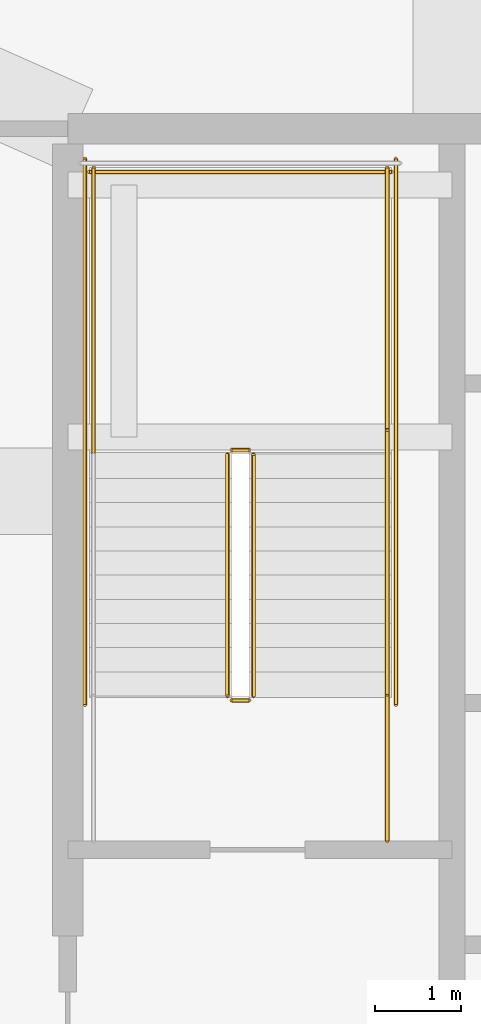
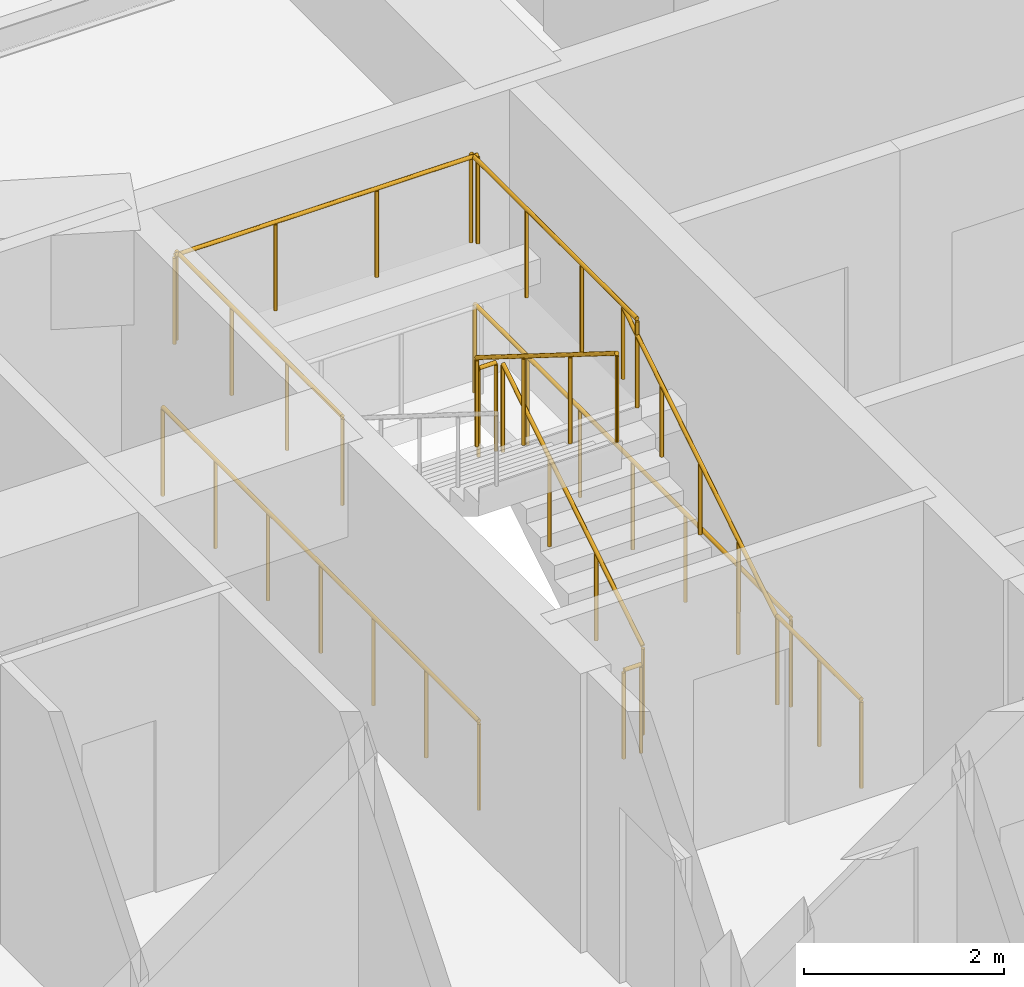
# One storey, part 36 of 39: 11 railings.
"""IFC4 building model written with IfcOpenShell, lengths in metres."""

from ifc_helpers import new_model, si_unit, direction, frame, origin, origin_2d, place, context, subcontext, project, spatial, circle, extrude, material, type_object, element, save


model = new_model("IFC4")

# Units and contexts
model_context = context("Model", 3, precision=1e-05, world=origin(), true_north=direction((0.0, 1.0)))
body_context = subcontext(model_context, "Body", "Model", "MODEL_VIEW")
ifc_project = project(units=[si_unit("LENGTHUNIT", "METRE"), si_unit("AREAUNIT", "SQUARE_METRE"), si_unit("VOLUMEUNIT", "CUBIC_METRE"), si_unit("PLANEANGLEUNIT", "RADIAN"), si_unit("MASSUNIT", "GRAM", prefix="KILO")], contexts=[model_context])

# Site, building, storey
site_placement = place(None, origin())
site = spatial("IfcSite", under=ifc_project, at=site_placement, CompositionType="ELEMENT")
building_placement = place(site_placement, origin())
building = spatial("IfcBuilding", under=site, at=building_placement, Name="Serunith Strait Residences", CompositionType="ELEMENT")
storey_placement = place(building_placement, frame((0.0, 0.0, 283.60009765625)))
storey = spatial("IfcBuildingStorey", under=building, at=storey_placement, Name="L71", CompositionType="ELEMENT", Elevation=283.60009765625)

# Railings
ifc_material = material(Name="Brushed stainless steel 316L", Category="steel")
railing_type_1 = type_object("IfcRailingType", Name="RLG-STAIR-GUARD", PredefinedType="BALUSTRADE", material=ifc_material)
railing_1_placement = place(storey_placement, frame((25.550048828125, 27.030029296875, 0.1748046875)))
element("IfcRailing", 1, at=railing_1_placement, inside=storey, type_object=railing_type_1, Name="L71 ST-1 stair guard 1", PredefinedType="BALUSTRADE", context=body_context, shape_type="SweptSolid", body=[
    extrude(circle(Radius=0.02392578125, at=origin_2d()), frame((0.0, 0.001708984375, 1.0771484375), z_axis=(0.0, 0.848002457836, 0.529992293815), x_axis=(-1.0, 0.0, 0.0)), (0.0, 0.0, 1.0), 3.2978515625),
    extrude(circle(Radius=0.02099609375, at=origin_2d()), origin(), (0.0, 0.0, 1.0), 1.050048828125),
    extrude(circle(Radius=0.02099609375, at=origin_2d()), frame((0.0, 0.933349609375, 0.583251953125)), (0.0, 0.0, 1.0), 1.050048828125),
    extrude(circle(Radius=0.02099609375, at=origin_2d()), frame((0.0, 1.86669921875, 1.166748046875)), (0.0, 0.0, 1.0), 1.050048828125),
    extrude(circle(Radius=0.02099609375, at=origin_2d()), frame((0.0, 2.800048828125, 1.75)), (0.0, 0.0, 1.0), 1.050048828125),
])
railing_2_placement = place(storey_placement, frame((25.5, 29.8798828125, 1.9248046875)))
element("IfcRailing", 2, at=railing_2_placement, inside=storey, type_object=railing_type_1, Name="L71 ST-1 stair guard 2", PredefinedType="BALUSTRADE", context=body_context, shape_type="SweptSolid", body=[
    extrude(circle(Radius=0.02392578125, at=origin_2d()), frame((-0.001953125, 0.0, 1.076171875), z_axis=(-1.0, 0.0, 0.0), x_axis=(0.0, -1.0, 0.0)), (0.0, 0.0, 1.0), 0.196044921875),
    extrude(circle(Radius=0.02099609375, at=origin_2d()), origin(), (0.0, 0.0, 1.0), 1.050048828125),
    extrude(circle(Radius=0.02099609375, at=origin_2d()), frame((-0.199951171875, 0.0, 0.0)), (0.0, 0.0, 1.0), 1.050048828125),
])
for number, where, name in (
    (3, (27.10009765625, 29.830078125, 1.9248046875), "L71 ST-1 stair guard 3"),
    (4, (23.699951171875, 29.830078125, 1.9248046875), "L71 ST-1 stair guard 4"),
):
    element("IfcRailing", number, at=place(storey_placement, frame(where)), inside=storey, type_object=railing_type_1, Name=name, PredefinedType="BALUSTRADE", context=body_context, shape_type="SweptSolid", body=[
        extrude(circle(Radius=0.02392578125, at=origin_2d()), frame((0.0, 0.001953125, 1.076171875), z_axis=(0.0, 1.0, 0.0), x_axis=(-1.0, 0.0, 0.0)), (0.0, 0.0, 1.0), 3.31591796875),
        extrude(circle(Radius=0.02099609375, at=origin_2d()), origin(), (0.0, 0.0, 1.0), 1.050048828125),
        extrude(circle(Radius=0.02099609375, at=origin_2d()), frame((0.0, 1.106689453125, 0.0)), (0.0, 0.0, 1.0), 1.050048828125),
        extrude(circle(Radius=0.02099609375, at=origin_2d()), frame((0.0, 2.213134765625, 0.0)), (0.0, 0.0, 1.0), 1.050048828125),
        extrude(circle(Radius=0.02099609375, at=origin_2d()), frame((0.0, 3.31982421875, 0.0)), (0.0, 0.0, 1.0), 1.050048828125),
    ])
railing_3_placement = place(storey_placement, frame((27.14990234375, 33.10009765625, 1.9248046875)))
element("IfcRailing", 5, at=railing_3_placement, inside=storey, type_object=railing_type_1, Name="L71 ST-1 stair guard 5", PredefinedType="BALUSTRADE", context=body_context, shape_type="SweptSolid", body=[
    extrude(circle(Radius=0.02392578125, at=origin_2d()), frame((-0.001953125, 0.0, 1.076171875), z_axis=(-1.0, 0.0, 0.0), x_axis=(0.0, -1.0, 0.0)), (0.0, 0.0, 1.0), 3.49609375),
    extrude(circle(Radius=0.02099609375, at=origin_2d()), origin(), (0.0, 0.0, 1.0), 1.050048828125),
    extrude(circle(Radius=0.02099609375, at=origin_2d()), frame((-1.166748046875, 0.0, 0.0)), (0.0, 0.0, 1.0), 1.050048828125),
    extrude(circle(Radius=0.02099609375, at=origin_2d()), frame((-2.333251953125, 0.0, 0.0)), (0.0, 0.0, 1.0), 1.050048828125),
    extrude(circle(Radius=0.02099609375, at=origin_2d()), frame((-3.5, 0.0, 0.0)), (0.0, 0.0, 1.0), 1.050048828125),
])
railing_4_placement = place(storey_placement, frame((25.25, 29.830078125, 2.099853515625)))
element("IfcRailing", 6, at=railing_4_placement, inside=storey, type_object=railing_type_1, Name="L71 ST-1 stair guard 6", PredefinedType="BALUSTRADE", context=body_context, shape_type="SweptSolid", body=[
    extrude(circle(Radius=0.02392578125, at=origin_2d()), frame((0.0, -0.001708984375, 1.0771484375), z_axis=(0.0, -0.848002457836, 0.529992293815), x_axis=(1.0, 0.0, 0.0)), (0.0, 0.0, 1.0), 3.2978515625),
    extrude(circle(Radius=0.02099609375, at=origin_2d()), origin(), (0.0, 0.0, 1.0), 1.050048828125),
    extrude(circle(Radius=0.02099609375, at=origin_2d()), frame((0.0, -0.933349609375, 0.583251953125)), (0.0, 0.0, 1.0), 1.050048828125),
    extrude(circle(Radius=0.02099609375, at=origin_2d()), frame((0.0, -1.86669921875, 1.166748046875)), (0.0, 0.0, 1.0), 1.050048828125),
    extrude(circle(Radius=0.02099609375, at=origin_2d()), frame((0.0, -2.800048828125, 1.75)), (0.0, 0.0, 1.0), 1.050048828125),
])
railing_5_placement = place(storey_placement, frame((25.5, 26.97998046875, 0.0)))
element("IfcRailing", 7, at=railing_5_placement, inside=storey, type_object=railing_type_1, Name="L71 ST-1 stair guard 7", PredefinedType="BALUSTRADE", context=body_context, shape_type="SweptSolid", body=[
    extrude(circle(Radius=0.02392578125, at=origin_2d()), frame((-0.001953125, 0.0, 1.076171875), z_axis=(-1.0, 0.0, 0.0), x_axis=(0.0, -1.0, 0.0)), (0.0, 0.0, 1.0), 0.196044921875),
    extrude(circle(Radius=0.02099609375, at=origin_2d()), origin(), (0.0, 0.0, 1.0), 1.050048828125),
    extrude(circle(Radius=0.02099609375, at=origin_2d()), frame((-0.199951171875, 0.0, 0.0)), (0.0, 0.0, 1.0), 1.050048828125),
])
railing_6_placement = place(storey_placement, frame((27.10009765625, 25.35009765625, 0.0)))
element("IfcRailing", 8, at=railing_6_placement, inside=storey, type_object=railing_type_1, Name="L71 ST-1 stair guard 8", PredefinedType="BALUSTRADE", context=body_context, shape_type="SweptSolid", body=[
    extrude(circle(Radius=0.02392578125, at=origin_2d()), frame((0.0, 0.001953125, 1.076171875), z_axis=(0.0, 1.0, 0.0), x_axis=(-1.0, 0.0, 0.0)), (0.0, 0.0, 1.0), 1.676025390625),
    extrude(circle(Radius=0.02099609375, at=origin_2d()), origin(), (0.0, 0.0, 1.0), 1.050048828125),
    extrude(circle(Radius=0.02099609375, at=origin_2d()), frame((0.0, 0.83984375, 0.0)), (0.0, 0.0, 1.0), 1.050048828125),
    extrude(circle(Radius=0.02099609375, at=origin_2d()), frame((0.0, 1.679931640625, 0.0)), (0.0, 0.0, 1.0), 1.050048828125),
])
for number, where, name in (
    (9, (27.199951171875, 26.929931640625, 0.0), "L71 ST-1 stair guard 10"),
    (10, (23.60009765625, 26.929931640625, 0.0), "L71 ST-1 stair guard 11"),
):
    element("IfcRailing", number, at=place(storey_placement, frame(where)), inside=storey, type_object=railing_type_1, Name=name, PredefinedType="BALUSTRADE", context=body_context, shape_type="SweptSolid", body=[
        extrude(circle(Radius=0.02392578125, at=origin_2d()), frame((0.0, 0.001953125, 1.076171875), z_axis=(0.0, 1.0, 0.0), x_axis=(-1.0, 0.0, 0.0)), (0.0, 0.0, 1.0), 6.316162109375),
        extrude(circle(Radius=0.02099609375, at=origin_2d()), origin(), (0.0, 0.0, 1.0), 1.050048828125),
        extrude(circle(Radius=0.02099609375, at=origin_2d()), frame((0.0, 1.05322265625, 0.0)), (0.0, 0.0, 1.0), 1.050048828125),
        extrude(circle(Radius=0.02099609375, at=origin_2d()), frame((0.0, 2.106689453125, 0.0)), (0.0, 0.0, 1.0), 1.050048828125),
        extrude(circle(Radius=0.02099609375, at=origin_2d()), frame((0.0, 3.16015625, 0.0)), (0.0, 0.0, 1.0), 1.050048828125),
        extrude(circle(Radius=0.02099609375, at=origin_2d()), frame((0.0, 4.21337890625, 0.0)), (0.0, 0.0, 1.0), 1.050048828125),
        extrude(circle(Radius=0.02099609375, at=origin_2d()), frame((0.0, 5.2666015625, 0.0)), (0.0, 0.0, 1.0), 1.050048828125),
        extrude(circle(Radius=0.02099609375, at=origin_2d()), frame((0.0, 6.320068359375, 0.0)), (0.0, 0.0, 1.0), 1.050048828125),
    ])
railing_type_2 = type_object("IfcRailingType", Name="RLG-STAIR-HR", PredefinedType="HANDRAIL", material=ifc_material)
railing_7_placement = place(storey_placement, frame((27.10009765625, 27.030029296875, 0.1748046875)))
element("IfcRailing", 11, at=railing_7_placement, inside=storey, type_object=railing_type_2, Name="L71 ST-1 stair handrail 1", PredefinedType="HANDRAIL", context=body_context, shape_type="SweptSolid", body=[
    extrude(circle(Radius=0.02392578125, at=origin_2d()), frame((0.0, 0.001708984375, 0.876953125), z_axis=(0.0, 0.847363772988, 0.531012839984), x_axis=(-1.0, 0.0, 0.0)), (0.0, 0.0, 1.0), 3.630859375),
    extrude(circle(Radius=0.02099609375, at=origin_2d()), origin(), (0.0, 0.0, 1.0), 0.849853515625),
    extrude(circle(Radius=0.02099609375, at=origin_2d()), frame((0.0, 0.77001953125, 0.482421875)), (0.0, 0.0, 1.0), 0.849853515625),
    extrude(circle(Radius=0.02099609375, at=origin_2d()), frame((0.0, 1.5400390625, 0.965087890625)), (0.0, 0.0, 1.0), 0.849853515625),
    extrude(circle(Radius=0.02099609375, at=origin_2d()), frame((0.0, 2.31005859375, 1.44775390625)), (0.0, 0.0, 1.0), 0.849853515625),
    extrude(circle(Radius=0.02099609375, at=origin_2d()), frame((0.0, 3.080078125, 1.93017578125)), (0.0, 0.0, 1.0), 0.849853515625),
])

save(model, "model.ifc")
